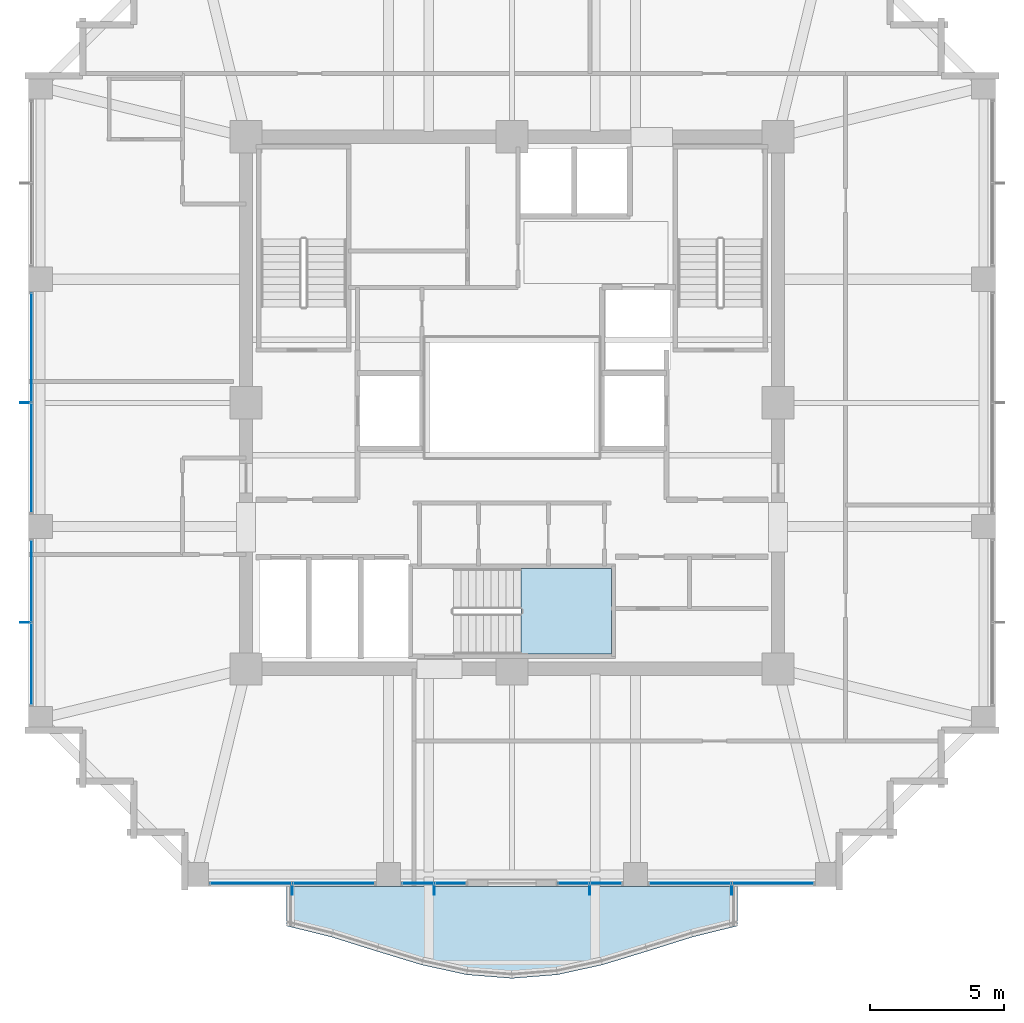
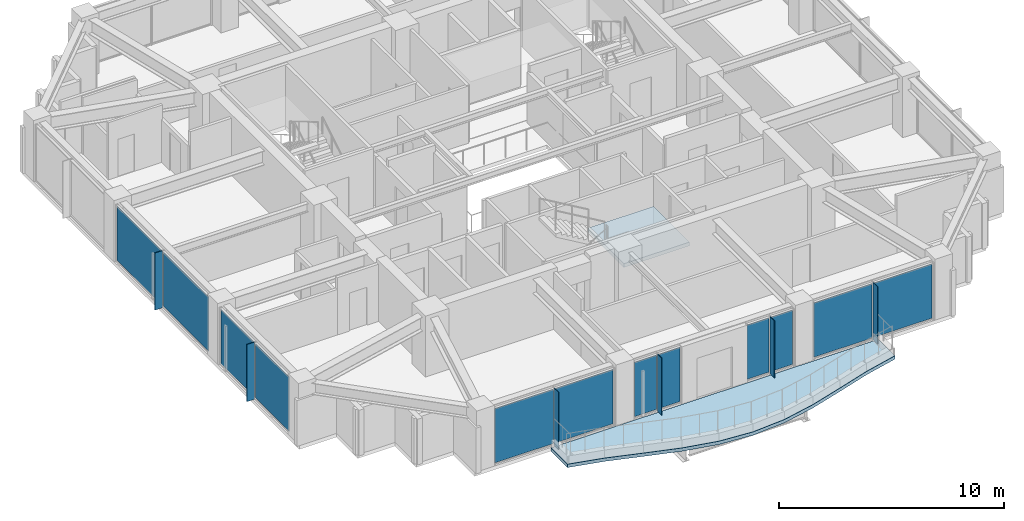
# One storey, part 22 of 31: 18 plates, 2 slabs, 7 elements without a shape of their own.
"""IFC4 building model written with IfcOpenShell, lengths in metres."""

from ifc_helpers import new_model, si_unit, direction, frame, origin, origin_2d, place, context, subcontext, project, spatial, polyline, rectangle, outline, extrude, material, layer, layer_set, type_object, element, aggregate, save


model = new_model("IFC4")

# Units and contexts
model_context = context("Model", 3, precision=1e-05, world=origin(), true_north=direction((0.0, 1.0)))
body_context = subcontext(model_context, "Body", "Model", "MODEL_VIEW")
ifc_project = project(units=[si_unit("LENGTHUNIT", "METRE"), si_unit("AREAUNIT", "SQUARE_METRE"), si_unit("VOLUMEUNIT", "CUBIC_METRE"), si_unit("PLANEANGLEUNIT", "RADIAN"), si_unit("MASSUNIT", "GRAM", prefix="KILO")], contexts=[model_context])

# Site, building, storey
site_placement = place(None, origin())
site = spatial("IfcSite", under=ifc_project, at=site_placement, CompositionType="ELEMENT")
building_placement = place(site_placement, origin())
building = spatial("IfcBuilding", under=site, at=building_placement, Name="Kolvaren Belvedere", CompositionType="ELEMENT")
storey_placement = place(building_placement, frame((0.0, 0.0, 138.199951171875)))
storey = spatial("IfcBuildingStorey", under=building, at=storey_placement, Name="L40", CompositionType="ELEMENT", Elevation=138.199951171875)

# Curtain wall, plates
ifc_material_1 = material(Name="Anodised pale-metal aluminium AA 6063-T6", Category="aluminium")
curtain_wall_type = type_object("IfcCurtainWallType", Name="CW-Z3-WAIST", PredefinedType="NOTDEFINED", material=ifc_material_1)
curtain_wall_1_placement = place(storey_placement, origin())
curtain_wall_1 = element("IfcCurtainWall", 1, at=curtain_wall_1_placement, inside=storey, type_object=curtain_wall_type, Name="L40 Unitised Curtain Wall FCW-L40-S1-B1", PredefinedType="NOTDEFINED")
ifc_material_2 = material(Name="Low-iron triple insulated glass", Category="glass")
ifc_layer_1 = layer(ifc_material_2, 0.028076171875)
ifc_layer_set_1 = layer_set([ifc_layer_1], Name="Low-iron triple insulated glass")
plate_type_1 = type_object("IfcPlateType", Name="CW-PNL-VIS28", PredefinedType="CURTAIN_PANEL", material=ifc_layer_set_1)
plate_1_placement = place(storey_placement, frame((9.711181640625, -17.8798828125, 0.080078125), z_axis=(0.0, 0.0, 1.0), x_axis=(-1.0, 0.0, 0.0)))
plate_1 = element("IfcPlate", 2, at=plate_1_placement, type_object=plate_type_1, Name="FCW-L40-S1-B1 Vision Glazing Panel 1", PredefinedType="CURTAIN_PANEL", context=body_context, shape_type="SweptSolid", body=[
    extrude(rectangle(XDim=2.992431640625, YDim=0.028076171875, at=origin_2d()), origin(), (0.0, 0.0, 1.0), 2.93994140625),
])
plate_2_placement = place(storey_placement, frame((6.638671875, -17.8798828125, 0.080078125), z_axis=(0.0, 0.0, 1.0), x_axis=(-1.0, 0.0, 0.0)))
plate_2 = element("IfcPlate", 3, at=plate_2_placement, type_object=plate_type_1, Name="FCW-L40-S1-B1 Vision Glazing Panel 2", PredefinedType="CURTAIN_PANEL", context=body_context, shape_type="SweptSolid", body=[
    extrude(rectangle(XDim=2.992431640625, YDim=0.028076171875, at=origin_2d()), origin(), (0.0, 0.0, 1.0), 2.93994140625),
])
aggregate(curtain_wall_1, [plate_1, plate_2])

curtain_wall_2_placement = place(storey_placement, origin())
curtain_wall_2 = element("IfcCurtainWall", 4, at=curtain_wall_2_placement, inside=storey, type_object=curtain_wall_type, Name="L40 Unitised Curtain Wall FCW-L40-S1-B2", PredefinedType="NOTDEFINED")
plate_3_placement = place(storey_placement, frame((3.4931640625, -17.8798828125, 0.080078125), z_axis=(0.0, 0.0, 1.0), x_axis=(-1.0, 0.0, 0.0)))
plate_3 = element("IfcPlate", 5, at=plate_3_placement, type_object=plate_type_1, Name="FCW-L40-S1-B2 Vision Glazing Panel 1", PredefinedType="CURTAIN_PANEL", context=body_context, shape_type="SweptSolid", body=[
    extrude(rectangle(XDim=1.12890625, YDim=0.028076171875, at=origin_2d()), origin(), (0.0, 0.0, 1.0), 2.93994140625),
])
plate_4_placement = place(storey_placement, frame((2.284423828125, -17.8798828125, 0.080078125), z_axis=(0.0, 0.0, 1.0), x_axis=(-1.0, 0.0, 0.0)))
plate_4 = element("IfcPlate", 6, at=plate_4_placement, type_object=plate_type_1, Name="FCW-L40-S1-B2 Vision Glazing Panel 2", PredefinedType="CURTAIN_PANEL", context=body_context, shape_type="SweptSolid", body=[
    extrude(rectangle(XDim=1.12890625, YDim=0.028076171875, at=origin_2d()), origin(), (0.0, 0.0, 1.0), 2.93994140625),
])
aggregate(curtain_wall_2, [plate_3, plate_4])

curtain_wall_3_placement = place(storey_placement, origin())
curtain_wall_3 = element("IfcCurtainWall", 7, at=curtain_wall_3_placement, inside=storey, type_object=curtain_wall_type, Name="L40 Unitised Curtain Wall FCW-L40-S2-B1", PredefinedType="NOTDEFINED")
plate_5_placement = place(storey_placement, frame((-2.284423828125, -17.8798828125, 0.080078125), z_axis=(0.0, 0.0, 1.0), x_axis=(-1.0, 0.0, 0.0)))
plate_5 = element("IfcPlate", 8, at=plate_5_placement, type_object=plate_type_1, Name="FCW-L40-S2-B1 Vision Glazing Panel 1", PredefinedType="CURTAIN_PANEL", context=body_context, shape_type="SweptSolid", body=[
    extrude(rectangle(XDim=1.12890625, YDim=0.028076171875, at=origin_2d()), origin(), (0.0, 0.0, 1.0), 2.93994140625),
])
plate_6_placement = place(storey_placement, frame((-3.4931640625, -17.8798828125, 0.080078125), z_axis=(0.0, 0.0, 1.0), x_axis=(-1.0, 0.0, 0.0)))
plate_6 = element("IfcPlate", 9, at=plate_6_placement, type_object=plate_type_1, Name="FCW-L40-S2-B1 Vision Glazing Panel 2", PredefinedType="CURTAIN_PANEL", context=body_context, shape_type="SweptSolid", body=[
    extrude(rectangle(XDim=1.12890625, YDim=0.028076171875, at=origin_2d()), origin(), (0.0, 0.0, 1.0), 2.93994140625),
])
aggregate(curtain_wall_3, [plate_5, plate_6])

curtain_wall_4_placement = place(storey_placement, origin())
curtain_wall_4 = element("IfcCurtainWall", 10, at=curtain_wall_4_placement, inside=storey, type_object=curtain_wall_type, Name="L40 Unitised Curtain Wall FCW-L40-S2-B2", PredefinedType="NOTDEFINED")
plate_7_placement = place(storey_placement, frame((-6.638671875, -17.8798828125, 0.080078125), z_axis=(0.0, 0.0, 1.0), x_axis=(-1.0, 0.0, 0.0)))
plate_7 = element("IfcPlate", 11, at=plate_7_placement, type_object=plate_type_1, Name="FCW-L40-S2-B2 Vision Glazing Panel 1", PredefinedType="CURTAIN_PANEL", context=body_context, shape_type="SweptSolid", body=[
    extrude(rectangle(XDim=2.992431640625, YDim=0.028076171875, at=origin_2d()), origin(), (0.0, 0.0, 1.0), 2.93994140625),
])
plate_8_placement = place(storey_placement, frame((-9.711181640625, -17.8798828125, 0.080078125), z_axis=(0.0, 0.0, 1.0), x_axis=(-1.0, 0.0, 0.0)))
plate_8 = element("IfcPlate", 12, at=plate_8_placement, type_object=plate_type_1, Name="FCW-L40-S2-B2 Vision Glazing Panel 2", PredefinedType="CURTAIN_PANEL", context=body_context, shape_type="SweptSolid", body=[
    extrude(rectangle(XDim=2.992431640625, YDim=0.028076171875, at=origin_2d()), origin(), (0.0, 0.0, 1.0), 2.93994140625),
])
aggregate(curtain_wall_4, [plate_7, plate_8])

curtain_wall_5_placement = place(storey_placement, origin())
curtain_wall_5 = element("IfcCurtainWall", 13, at=curtain_wall_5_placement, inside=storey, type_object=curtain_wall_type, Name="L40 Unitised Curtain Wall FCW-L40-W-B1", PredefinedType="NOTDEFINED")
plate_9_placement = place(storey_placement, frame((-17.8798828125, -9.711181640625, 0.080078125), z_axis=(0.0, 0.0, 1.0), x_axis=(0.0, 1.0, 0.0)))
plate_9 = element("IfcPlate", 14, at=plate_9_placement, type_object=plate_type_1, Name="FCW-L40-W-B1 Vision Glazing Panel 1", PredefinedType="CURTAIN_PANEL", context=body_context, shape_type="SweptSolid", body=[
    extrude(rectangle(XDim=2.992431640625, YDim=0.028076171875, at=origin_2d()), origin(), (0.0, 0.0, 1.0), 2.93994140625),
])
plate_10_placement = place(storey_placement, frame((-17.8798828125, -6.638671875, 0.080078125), z_axis=(0.0, 0.0, 1.0), x_axis=(0.0, 1.0, 0.0)))
plate_10 = element("IfcPlate", 15, at=plate_10_placement, type_object=plate_type_1, Name="FCW-L40-W-B1 Vision Glazing Panel 2", PredefinedType="CURTAIN_PANEL", context=body_context, shape_type="SweptSolid", body=[
    extrude(rectangle(XDim=2.992431640625, YDim=0.028076171875, at=origin_2d()), origin(), (0.0, 0.0, 1.0), 2.93994140625),
])
aggregate(curtain_wall_5, [plate_9, plate_10])

curtain_wall_6_placement = place(storey_placement, origin())
curtain_wall_6 = element("IfcCurtainWall", 16, at=curtain_wall_6_placement, inside=storey, type_object=curtain_wall_type, Name="L40 Unitised Curtain Wall FCW-L40-W-B2", PredefinedType="NOTDEFINED")
plate_11_placement = place(storey_placement, frame((-17.8798828125, -2.048828125, 0.080078125), z_axis=(0.0, 0.0, 1.0), x_axis=(0.0, 1.0, 0.0)))
plate_11 = element("IfcPlate", 17, at=plate_11_placement, type_object=plate_type_1, Name="FCW-L40-W-B2 Vision Glazing Panel 1", PredefinedType="CURTAIN_PANEL", context=body_context, shape_type="SweptSolid", body=[
    extrude(rectangle(XDim=4.017578125, YDim=0.028076171875, at=origin_2d()), origin(), (0.0, 0.0, 1.0), 2.93994140625),
])
plate_12_placement = place(storey_placement, frame((-17.8798828125, 2.048828125, 0.080078125), z_axis=(0.0, 0.0, 1.0), x_axis=(0.0, 1.0, 0.0)))
plate_12 = element("IfcPlate", 18, at=plate_12_placement, type_object=plate_type_1, Name="FCW-L40-W-B2 Vision Glazing Panel 2", PredefinedType="CURTAIN_PANEL", context=body_context, shape_type="SweptSolid", body=[
    extrude(rectangle(XDim=4.017578125, YDim=0.028076171875, at=origin_2d()), origin(), (0.0, 0.0, 1.0), 2.93994140625),
])
aggregate(curtain_wall_6, [plate_11, plate_12])

# Plates
ifc_material_3 = material(Name="Anodised pale-metal aluminium AA 6063-T6", Category="aluminium")
ifc_layer_2 = layer(ifc_material_3, 0.033935546875)
ifc_layer_set_2 = layer_set([ifc_layer_2], Name="Anodised pale-metal aluminium AA 6063-T6")
plate_type_2 = type_object("IfcPlateType", Name="FIN-VERT-380", PredefinedType="USERDEFINED", material=ifc_layer_set_2)
for number, where, z_axis, x_axis, name in (
    (19, (8.175048828125, -18.1201171875, 0.0), (0.0, 0.0, 1.0), (0.0, 1.0, 0.0), "L40 Pale-Metal Vertical Shading Fin FCW-L40-S1-B1-1"),
    (20, (2.888671875, -18.1201171875, 0.0), (0.0, 0.0, 1.0), (0.0, 1.0, 0.0), "L40 Pale-Metal Vertical Shading Fin FCW-L40-S1-B2-1"),
    (21, (-2.888671875, -18.1201171875, 0.0), (0.0, 0.0, 1.0), (0.0, 1.0, 0.0), "L40 Pale-Metal Vertical Shading Fin FCW-L40-S2-B1-1"),
    (22, (-8.175048828125, -18.1201171875, 0.0), (0.0, 0.0, 1.0), (0.0, 1.0, 0.0), "L40 Pale-Metal Vertical Shading Fin FCW-L40-S2-B2-1"),
    (23, (-18.1201171875, -8.175048828125, 0.0), (0.0, 0.0, 1.0), (1.0, 0.0, 0.0), "L40 Pale-Metal Vertical Shading Fin FCW-L40-W-B1-1"),
    (24, (-18.1201171875, 0.0, 0.0), (0.0, 0.0, 1.0), (1.0, 0.0, 0.0), "L40 Pale-Metal Vertical Shading Fin FCW-L40-W-B2-1"),
):
    element("IfcPlate", number, at=place(storey_placement, frame(where, z_axis=z_axis, x_axis=x_axis)), inside=storey, type_object=plate_type_2, Name=name, ObjectType="VERTICAL FIN", PredefinedType="USERDEFINED", context=body_context, shape_type="SweptSolid", body=[
        extrude(rectangle(XDim=0.3798828125, YDim=0.033935546875, at=origin_2d()), origin(), (0.0, 0.0, 1.0), 3.10009765625),
    ])

# Slab
ifc_material_4 = material(Name="Concrete C50/60", Category="concrete")
ifc_layer_3 = layer(ifc_material_4, 0.179931640625)
ifc_layer_set_3 = layer_set([ifc_layer_3], Name="Concrete C50/60")
slab_type_1 = type_object("IfcSlabType", Name="SL-BAL-180", PredefinedType="FLOOR", material=ifc_layer_set_3)
slab_1_placement = place(storey_placement, frame((0.0, 0.0, -0.199951171875)))
element("IfcSlab", 25, at=slab_1_placement, inside=storey, type_object=slab_type_1, Name="L40 Planted Balcony BAL-S", PredefinedType="FLOOR", context=body_context, shape_type="SweptSolid", body=[
    extrude(outline(polyline([(-8.39990234375, -19.46630859375), (-6.719970703125, -19.880126953125), (-5.0400390625, -20.40771484375), (-3.360107421875, -20.918701171875), (-1.679931640625, -21.286376953125), (0.0, -21.419921875), (1.679931640625, -21.286376953125), (3.360107421875, -20.918701171875), (5.0400390625, -20.40771484375), (6.719970703125, -19.880126953125), (8.39990234375, -19.46630859375), (8.39990234375, -18.0), (6.719970703125, -18.0), (5.0400390625, -18.0), (3.360107421875, -18.0), (1.679931640625, -18.0), (0.0, -18.0), (-1.679931640625, -18.0), (-3.360107421875, -18.0), (-5.0400390625, -18.0), (-6.719970703125, -18.0), (-8.39990234375, -18.0), (-8.39990234375, -19.46630859375)])), origin(), (0.0, 0.0, 1.0), 0.179931640625),
])

# Stair, slab
ifc_material_5 = material(Name="Concrete C50/60", Category="concrete")
stair_type = type_object("IfcStairType", Name="ST-CORE-1520", PredefinedType="HALF_TURN_STAIR", material=ifc_material_5)
stair_placement = place(storey_placement, origin())
stair = element("IfcStair", 26, at=stair_placement, inside=storey, type_object=stair_type, Name="L40 Protected Exit Stair ST-3", PredefinedType="HALF_TURN_STAIR")
ifc_material_6 = material(Name="Concrete C50/60", Category="concrete")
ifc_layer_4 = layer(ifc_material_6, 0.260009765625)
ifc_layer_set_4 = layer_set([ifc_layer_4], Name="Concrete C50/60")
slab_type_2 = type_object("IfcSlabType", Name="SL-LAND-260", PredefinedType="LANDING", material=ifc_layer_set_4)
slab_2_placement = place(storey_placement, frame((0.0, 0.0, 1.449951171875)))
slab_2 = element("IfcSlab", 27, at=slab_2_placement, type_object=slab_type_2, Name="ST-3 landing 1", PredefinedType="LANDING", context=body_context, shape_type="SweptSolid", body=[
    extrude(outline(polyline([(0.340087890625, -9.35009765625), (3.699951171875, -9.35009765625), (3.699951171875, -6.159912109375), (0.340087890625, -6.159912109375), (0.340087890625, -9.35009765625)])), origin(), (0.0, 0.0, 1.0), 0.2001953125),
])
aggregate(stair, [slab_2])

save(model, "model.ifc")
